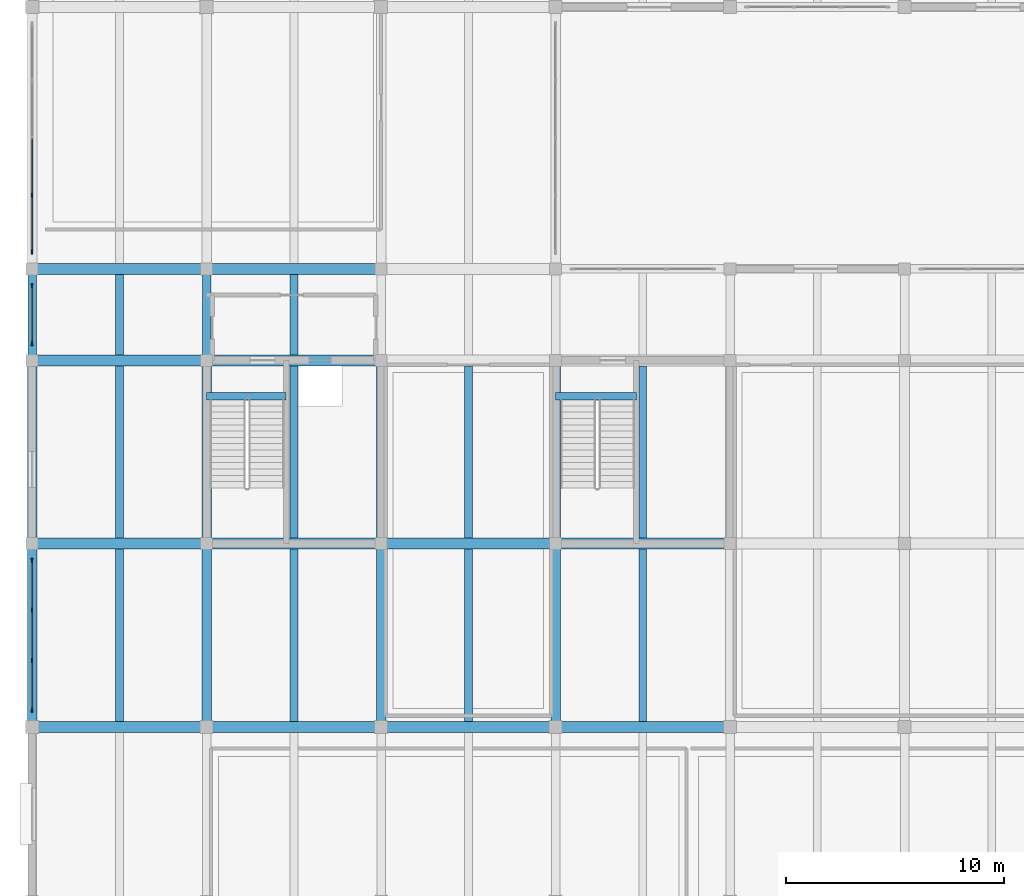
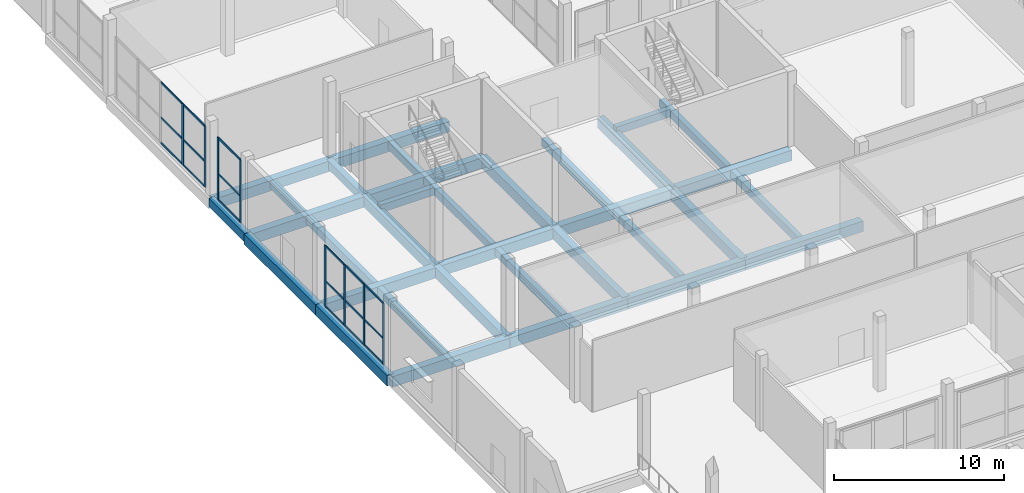
# One storey, part 9 of 41: 34 beams, 26 members, 3 elements without a shape of their own.
"""IFC4 building model written with IfcOpenShell, lengths in metres."""

from ifc_helpers import new_model, si_unit, direction, frame, origin, origin_2d, place, context, subcontext, project, spatial, rectangle, extrude, material, material_profile, profile_set, type_object, element, aggregate, save


model = new_model("IFC4")

# Units and contexts
model_context = context("Model", 3, precision=1e-05, world=origin(), true_north=direction((0.0, 1.0)))
body_context = subcontext(model_context, "Body", "Model", "MODEL_VIEW")
ifc_project = project(units=[si_unit("LENGTHUNIT", "METRE"), si_unit("AREAUNIT", "SQUARE_METRE"), si_unit("VOLUMEUNIT", "CUBIC_METRE"), si_unit("PLANEANGLEUNIT", "RADIAN"), si_unit("MASSUNIT", "GRAM", prefix="KILO")], contexts=[model_context])

# Site, building, storey
site_placement = place(None, origin())
site = spatial("IfcSite", under=ifc_project, at=site_placement, CompositionType="ELEMENT")
building_placement = place(site_placement, origin())
building = spatial("IfcBuilding", under=site, at=building_placement, Name="Vharandega Faculty of Natural Sciences", CompositionType="ELEMENT")
storey_placement = place(building_placement, origin())
storey = spatial("IfcBuildingStorey", under=building, at=storey_placement, Name="L00", CompositionType="ELEMENT", Elevation=0.0)

# Curtain wall, members
ifc_material_1 = material(Name="Aluminium and solar-control glass curtain wall", Category="aluminium")
curtain_wall_type_1 = type_object("IfcCurtainWallType", Name="Unitised Curtain Wall System CW-06", PredefinedType="NOTDEFINED", material=ifc_material_1)
curtain_wall_1_placement = place(storey_placement, origin())
curtain_wall_1 = element("IfcCurtainWall", 1, at=curtain_wall_1_placement, inside=storey, type_object=curtain_wall_type_1, Name="Curtain Wall CW-L00-033", PredefinedType="NOTDEFINED")
ifc_material_2 = material(Name="Thermally broken aluminium 6063-T6", Category="aluminium")
ifc_material_profile_1 = material_profile(ifc_material_2, rectangle(XDim=0.070068359375, YDim=0.199951171875, at=origin_2d()), Name="ALU 70x200")
ifc_profile_set_1 = profile_set([ifc_material_profile_1], Name="Thermally broken aluminium 6063-T6")
member_type_1 = type_object("IfcMemberType", Name="CW Mullion 70x200", PredefinedType="MULLION", material=ifc_profile_set_1)
member_1_placement = place(storey_placement, frame((0.0, 64.77490234375, 0.0), z_axis=(0.0, 0.0, 1.0), x_axis=(-1.0, 0.0, 0.0)))
member_1 = element("IfcMember", 2, at=member_1_placement, type_object=member_type_1, Name="CW-06 mullion 1", PredefinedType="MULLION", context=body_context, shape_type="SweptSolid", body=[
    extrude(rectangle(XDim=0.070068359375, YDim=0.199951171875, at=origin_2d()), origin(), (0.0, 0.0, 1.0), 4.389892578125),
])
member_2_placement = place(storey_placement, frame((0.0, 67.046630859375, 0.0), z_axis=(0.0, 0.0, 1.0), x_axis=(-1.0, 0.0, 0.0)))
member_2 = element("IfcMember", 3, at=member_2_placement, type_object=member_type_1, Name="CW-06 mullion 2", PredefinedType="MULLION", context=body_context, shape_type="SweptSolid", body=[
    extrude(rectangle(XDim=0.070068359375, YDim=0.199951171875, at=origin_2d()), origin(), (0.0, 0.0, 1.0), 4.389892578125),
])
member_3_placement = place(storey_placement, frame((0.0, 69.353271484375, 0.0), z_axis=(0.0, 0.0, 1.0), x_axis=(-1.0, 0.0, 0.0)))
member_3 = element("IfcMember", 4, at=member_3_placement, type_object=member_type_1, Name="CW-06 mullion 3", PredefinedType="MULLION", context=body_context, shape_type="SweptSolid", body=[
    extrude(rectangle(XDim=0.070068359375, YDim=0.199951171875, at=origin_2d()), origin(), (0.0, 0.0, 1.0), 4.389892578125),
])
member_4_placement = place(storey_placement, frame((0.0, 71.625, 0.0), z_axis=(0.0, 0.0, 1.0), x_axis=(-1.0, 0.0, 0.0)))
member_4 = element("IfcMember", 5, at=member_4_placement, type_object=member_type_1, Name="CW-06 mullion 4", PredefinedType="MULLION", context=body_context, shape_type="SweptSolid", body=[
    extrude(rectangle(XDim=0.070068359375, YDim=0.199951171875, at=origin_2d()), origin(), (0.0, 0.0, 1.0), 4.389892578125),
])

ifc_material_3 = material(Name="Aluminium and solar-control glass curtain wall", Category="aluminium")
curtain_wall_type_2 = type_object("IfcCurtainWallType", Name="Unitised Curtain Wall System CW-07", PredefinedType="NOTDEFINED", material=ifc_material_3)
curtain_wall_2_placement = place(storey_placement, origin())
curtain_wall_2 = element("IfcCurtainWall", 6, at=curtain_wall_2_placement, inside=storey, type_object=curtain_wall_type_2, Name="Curtain Wall CW-L00-034", PredefinedType="NOTDEFINED")
member_5_placement = place(storey_placement, frame((0.0, 81.574951171875, 0.0), z_axis=(0.0, 0.0, 1.0), x_axis=(-1.0, 0.0, 0.0)))
member_5 = element("IfcMember", 7, at=member_5_placement, type_object=member_type_1, Name="CW-07 mullion 1", PredefinedType="MULLION", context=body_context, shape_type="SweptSolid", body=[
    extrude(rectangle(XDim=0.070068359375, YDim=0.199951171875, at=origin_2d()), origin(), (0.0, 0.0, 1.0), 4.489990234375),
])
member_6_placement = place(storey_placement, frame((0.0, 84.22509765625, 0.0), z_axis=(0.0, 0.0, 1.0), x_axis=(-1.0, 0.0, 0.0)))
member_6 = element("IfcMember", 8, at=member_6_placement, type_object=member_type_1, Name="CW-07 mullion 2", PredefinedType="MULLION", context=body_context, shape_type="SweptSolid", body=[
    extrude(rectangle(XDim=0.070068359375, YDim=0.199951171875, at=origin_2d()), origin(), (0.0, 0.0, 1.0), 4.489990234375),
])

ifc_material_4 = material(Name="Aluminium and solar-control glass curtain wall", Category="aluminium")
curtain_wall_type_3 = type_object("IfcCurtainWallType", Name="Unitised Curtain Wall System CW-08", PredefinedType="NOTDEFINED", material=ifc_material_4)
curtain_wall_3_placement = place(storey_placement, origin())
curtain_wall_3 = element("IfcCurtainWall", 9, at=curtain_wall_3_placement, inside=storey, type_object=curtain_wall_type_3, Name="Curtain Wall CW-L00-035", PredefinedType="NOTDEFINED")
member_7_placement = place(storey_placement, frame((0.0, 85.77490234375, 0.0), z_axis=(0.0, 0.0, 1.0), x_axis=(-1.0, 0.0, 0.0)))
member_7 = element("IfcMember", 10, at=member_7_placement, type_object=member_type_1, Name="CW-08 mullion 1", PredefinedType="MULLION", context=body_context, shape_type="SweptSolid", body=[
    extrude(rectangle(XDim=0.070068359375, YDim=0.199951171875, at=origin_2d()), origin(), (0.0, 0.0, 1.0), 4.389892578125),
])
member_8_placement = place(storey_placement, frame((0.0, 88.3701171875, 0.0), z_axis=(0.0, 0.0, 1.0), x_axis=(-1.0, 0.0, 0.0)))
member_8 = element("IfcMember", 11, at=member_8_placement, type_object=member_type_1, Name="CW-08 mullion 2", PredefinedType="MULLION", context=body_context, shape_type="SweptSolid", body=[
    extrude(rectangle(XDim=0.070068359375, YDim=0.199951171875, at=origin_2d()), origin(), (0.0, 0.0, 1.0), 4.389892578125),
])

# Member
ifc_material_5 = material(Name="Thermally broken aluminium 6063-T6", Category="aluminium")
ifc_material_profile_2 = material_profile(ifc_material_5, rectangle(XDim=0.06494140625, YDim=0.135009765625, at=origin_2d()), Name="ALU 65x135")
ifc_profile_set_2 = profile_set([ifc_material_profile_2], Name="Thermally broken aluminium 6063-T6")
member_type_2 = type_object("IfcMemberType", Name="CW Transom 65x135", PredefinedType="USERDEFINED", material=ifc_profile_set_2)
member_9_placement = place(storey_placement, frame((0.0, 64.81005859375, 0.032470703125), z_axis=(0.0, 1.0, 0.0), x_axis=(-1.0, 0.0, 0.0)))
member_9 = element("IfcMember", 12, at=member_9_placement, type_object=member_type_2, Name="CW-06 transom 1.1", ObjectType="TRANSOM", PredefinedType="USERDEFINED", context=body_context, shape_type="SweptSolid", body=[
    extrude(rectangle(XDim=0.06494140625, YDim=0.135009765625, at=origin_2d()), origin(), (0.0, 0.0, 1.0), 2.20166015625),
])

member_10_placement = place(storey_placement, frame((0.0, 64.81005859375, 1.84375), z_axis=(0.0, 1.0, 0.0), x_axis=(-1.0, 0.0, 0.0)))
member_10 = element("IfcMember", 13, at=member_10_placement, type_object=member_type_2, Name="CW-06 transom 1.2", ObjectType="TRANSOM", PredefinedType="USERDEFINED", context=body_context, shape_type="SweptSolid", body=[
    extrude(rectangle(XDim=0.06494140625, YDim=0.135009765625, at=origin_2d()), origin(), (0.0, 0.0, 1.0), 2.20166015625),
])

member_11_placement = place(storey_placement, frame((0.0, 64.81005859375, 4.357421875), z_axis=(0.0, 1.0, 0.0), x_axis=(-1.0, 0.0, 0.0)))
member_11 = element("IfcMember", 14, at=member_11_placement, type_object=member_type_2, Name="CW-06 transom 1.3", ObjectType="TRANSOM", PredefinedType="USERDEFINED", context=body_context, shape_type="SweptSolid", body=[
    extrude(rectangle(XDim=0.06494140625, YDim=0.135009765625, at=origin_2d()), origin(), (0.0, 0.0, 1.0), 2.20166015625),
])

member_12_placement = place(storey_placement, frame((0.0, 67.081787109375, 0.032470703125), z_axis=(0.0, 1.0, 0.0), x_axis=(-1.0, 0.0, 0.0)))
member_12 = element("IfcMember", 15, at=member_12_placement, type_object=member_type_2, Name="CW-06 transom 2.1", ObjectType="TRANSOM", PredefinedType="USERDEFINED", context=body_context, shape_type="SweptSolid", body=[
    extrude(rectangle(XDim=0.06494140625, YDim=0.135009765625, at=origin_2d()), origin(), (0.0, 0.0, 1.0), 2.236572265625),
])

member_13_placement = place(storey_placement, frame((0.0, 67.081787109375, 1.84375), z_axis=(0.0, 1.0, 0.0), x_axis=(-1.0, 0.0, 0.0)))
member_13 = element("IfcMember", 16, at=member_13_placement, type_object=member_type_2, Name="CW-06 transom 2.2", ObjectType="TRANSOM", PredefinedType="USERDEFINED", context=body_context, shape_type="SweptSolid", body=[
    extrude(rectangle(XDim=0.06494140625, YDim=0.135009765625, at=origin_2d()), origin(), (0.0, 0.0, 1.0), 2.236572265625),
])

member_14_placement = place(storey_placement, frame((0.0, 67.081787109375, 4.357421875), z_axis=(0.0, 1.0, 0.0), x_axis=(-1.0, 0.0, 0.0)))
member_14 = element("IfcMember", 17, at=member_14_placement, type_object=member_type_2, Name="CW-06 transom 2.3", ObjectType="TRANSOM", PredefinedType="USERDEFINED", context=body_context, shape_type="SweptSolid", body=[
    extrude(rectangle(XDim=0.06494140625, YDim=0.135009765625, at=origin_2d()), origin(), (0.0, 0.0, 1.0), 2.236572265625),
])

member_15_placement = place(storey_placement, frame((0.0, 69.388427734375, 0.032470703125), z_axis=(0.0, 1.0, 0.0), x_axis=(-1.0, 0.0, 0.0)))
member_15 = element("IfcMember", 18, at=member_15_placement, type_object=member_type_2, Name="CW-06 transom 3.1", ObjectType="TRANSOM", PredefinedType="USERDEFINED", context=body_context, shape_type="SweptSolid", body=[
    extrude(rectangle(XDim=0.06494140625, YDim=0.135009765625, at=origin_2d()), origin(), (0.0, 0.0, 1.0), 2.20166015625),
])

member_16_placement = place(storey_placement, frame((0.0, 69.388427734375, 1.84375), z_axis=(0.0, 1.0, 0.0), x_axis=(-1.0, 0.0, 0.0)))
member_16 = element("IfcMember", 19, at=member_16_placement, type_object=member_type_2, Name="CW-06 transom 3.2", ObjectType="TRANSOM", PredefinedType="USERDEFINED", context=body_context, shape_type="SweptSolid", body=[
    extrude(rectangle(XDim=0.06494140625, YDim=0.135009765625, at=origin_2d()), origin(), (0.0, 0.0, 1.0), 2.20166015625),
])

member_17_placement = place(storey_placement, frame((0.0, 69.388427734375, 4.357421875), z_axis=(0.0, 1.0, 0.0), x_axis=(-1.0, 0.0, 0.0)))
member_17 = element("IfcMember", 20, at=member_17_placement, type_object=member_type_2, Name="CW-06 transom 3.3", ObjectType="TRANSOM", PredefinedType="USERDEFINED", context=body_context, shape_type="SweptSolid", body=[
    extrude(rectangle(XDim=0.06494140625, YDim=0.135009765625, at=origin_2d()), origin(), (0.0, 0.0, 1.0), 2.20166015625),
])

aggregate(curtain_wall_1, [member_1, member_2, member_3, member_4, member_9, member_10, member_11, member_12, member_13, member_14, member_15, member_16, member_17])

member_18_placement = place(storey_placement, frame((0.0, 81.610107421875, 0.032470703125), z_axis=(0.0, 1.0, 0.0), x_axis=(-1.0, 0.0, 0.0)))
member_18 = element("IfcMember", 21, at=member_18_placement, type_object=member_type_2, Name="CW-07 transom 1.1", ObjectType="TRANSOM", PredefinedType="USERDEFINED", context=body_context, shape_type="SweptSolid", body=[
    extrude(rectangle(XDim=0.06494140625, YDim=0.135009765625, at=origin_2d()), origin(), (0.0, 0.0, 1.0), 2.579833984375),
])

member_19_placement = place(storey_placement, frame((0.0, 81.610107421875, 1.8857421875), z_axis=(0.0, 1.0, 0.0), x_axis=(-1.0, 0.0, 0.0)))
member_19 = element("IfcMember", 22, at=member_19_placement, type_object=member_type_2, Name="CW-07 transom 1.2", ObjectType="TRANSOM", PredefinedType="USERDEFINED", context=body_context, shape_type="SweptSolid", body=[
    extrude(rectangle(XDim=0.06494140625, YDim=0.135009765625, at=origin_2d()), origin(), (0.0, 0.0, 1.0), 2.579833984375),
])

member_20_placement = place(storey_placement, frame((0.0, 81.610107421875, 4.45751953125), z_axis=(0.0, 1.0, 0.0), x_axis=(-1.0, 0.0, 0.0)))
member_20 = element("IfcMember", 23, at=member_20_placement, type_object=member_type_2, Name="CW-07 transom 1.3", ObjectType="TRANSOM", PredefinedType="USERDEFINED", context=body_context, shape_type="SweptSolid", body=[
    extrude(rectangle(XDim=0.06494140625, YDim=0.135009765625, at=origin_2d()), origin(), (0.0, 0.0, 1.0), 2.579833984375),
])

aggregate(curtain_wall_2, [member_5, member_6, member_18, member_19, member_20])

member_21_placement = place(storey_placement, frame((0.0, 85.81005859375, 0.032470703125), z_axis=(0.0, 1.0, 0.0), x_axis=(-1.0, 0.0, 0.0)))
member_21 = element("IfcMember", 24, at=member_21_placement, type_object=member_type_2, Name="CW-08 transom 1.1", ObjectType="TRANSOM", PredefinedType="USERDEFINED", context=body_context, shape_type="SweptSolid", body=[
    extrude(rectangle(XDim=0.06494140625, YDim=0.135009765625, at=origin_2d()), origin(), (0.0, 0.0, 1.0), 2.52490234375),
])

member_22_placement = place(storey_placement, frame((0.0, 85.81005859375, 1.84375), z_axis=(0.0, 1.0, 0.0), x_axis=(-1.0, 0.0, 0.0)))
member_22 = element("IfcMember", 25, at=member_22_placement, type_object=member_type_2, Name="CW-08 transom 1.2", ObjectType="TRANSOM", PredefinedType="USERDEFINED", context=body_context, shape_type="SweptSolid", body=[
    extrude(rectangle(XDim=0.06494140625, YDim=0.135009765625, at=origin_2d()), origin(), (0.0, 0.0, 1.0), 2.52490234375),
])

member_23_placement = place(storey_placement, frame((0.0, 85.81005859375, 4.357421875), z_axis=(0.0, 1.0, 0.0), x_axis=(-1.0, 0.0, 0.0)))
member_23 = element("IfcMember", 26, at=member_23_placement, type_object=member_type_2, Name="CW-08 transom 1.3", ObjectType="TRANSOM", PredefinedType="USERDEFINED", context=body_context, shape_type="SweptSolid", body=[
    extrude(rectangle(XDim=0.06494140625, YDim=0.135009765625, at=origin_2d()), origin(), (0.0, 0.0, 1.0), 2.52490234375),
])

member_24_placement = place(storey_placement, frame((0.0, 88.405029296875, 0.032470703125), z_axis=(0.0, 1.0, 0.0), x_axis=(-1.0, 0.0, 0.0)))
member_24 = element("IfcMember", 27, at=member_24_placement, type_object=member_type_2, Name="CW-08 transom 2.1", ObjectType="TRANSOM", PredefinedType="USERDEFINED", context=body_context, shape_type="SweptSolid", body=[
    extrude(rectangle(XDim=0.06494140625, YDim=0.135009765625, at=origin_2d()), origin(), (0.0, 0.0, 1.0), 2.56005859375),
])

member_25_placement = place(storey_placement, frame((0.0, 88.405029296875, 1.84375), z_axis=(0.0, 1.0, 0.0), x_axis=(-1.0, 0.0, 0.0)))
member_25 = element("IfcMember", 28, at=member_25_placement, type_object=member_type_2, Name="CW-08 transom 2.2", ObjectType="TRANSOM", PredefinedType="USERDEFINED", context=body_context, shape_type="SweptSolid", body=[
    extrude(rectangle(XDim=0.06494140625, YDim=0.135009765625, at=origin_2d()), origin(), (0.0, 0.0, 1.0), 2.56005859375),
])

member_26_placement = place(storey_placement, frame((0.0, 88.405029296875, 4.357421875), z_axis=(0.0, 1.0, 0.0), x_axis=(-1.0, 0.0, 0.0)))
member_26 = element("IfcMember", 29, at=member_26_placement, type_object=member_type_2, Name="CW-08 transom 2.3", ObjectType="TRANSOM", PredefinedType="USERDEFINED", context=body_context, shape_type="SweptSolid", body=[
    extrude(rectangle(XDim=0.06494140625, YDim=0.135009765625, at=origin_2d()), origin(), (0.0, 0.0, 1.0), 2.56005859375),
])

aggregate(curtain_wall_3, [member_7, member_8, member_21, member_22, member_23, member_24, member_25, member_26])

# Beams
ifc_material_6 = material(Name="Concrete C40/50", Category="concrete")
ifc_material_profile_3 = material_profile(ifc_material_6, rectangle(XDim=0.5, YDim=0.75, at=origin_2d()), Name="RC 500x750")
ifc_profile_set_3 = profile_set([ifc_material_profile_3], Name="Concrete C40/50")
beam_type_1 = type_object("IfcBeamType", Name="Podium Primary Beam 500x750", PredefinedType="BEAM", material=ifc_profile_set_3)
for number, where, z_axis, x_axis, name in (
    (30, (0.0, 64.0, -0.675048828125), (1.0, 0.0, 0.0), (0.0, 1.0, 0.0), "Beam L00 J/1-2"),
    (31, (8.0, 64.0, -0.675048828125), (1.0, 0.0, 0.0), (0.0, 1.0, 0.0), "Beam L00 J/2-3"),
    (32, (16.0, 64.0, -0.675048828125), (1.0, 0.0, 0.0), (0.0, 1.0, 0.0), "Beam L00 J/3-4"),
    (33, (24.0, 64.0, -0.675048828125), (1.0, 0.0, 0.0), (0.0, 1.0, 0.0), "Beam L00 J/4-5"),
    (34, (0.0, 72.39990234375, -0.655029296875), (1.0, 0.0, 0.0), (0.0, 1.0, 0.0), "Beam L00 K/1-2"),
    (35, (8.0, 72.39990234375, -0.655029296875), (1.0, 0.0, 0.0), (0.0, 1.0, 0.0), "Beam L00 K/2-3"),
    (36, (16.0, 72.39990234375, -0.655029296875), (1.0, 0.0, 0.0), (0.0, 1.0, 0.0), "Beam L00 K/3-4"),
    (37, (24.0, 72.39990234375, -0.675048828125), (1.0, 0.0, 0.0), (0.0, 1.0, 0.0), "Beam L00 K/4-5"),
    (38, (0.0, 80.800048828125, -0.655029296875), (1.0, 0.0, 0.0), (0.0, 1.0, 0.0), "Beam L00 L/1-2"),
    (39, (8.0, 80.800048828125, -0.655029296875), (1.0, 0.0, 0.0), (0.0, 1.0, 0.0), "Beam L00 L/2-3"),
    (40, (0.0, 85.0, -0.655029296875), (1.0, 0.0, 0.0), (0.0, 1.0, 0.0), "Beam L00 M/1-2"),
    (41, (8.0, 85.0, -0.655029296875), (1.0, 0.0, 0.0), (0.0, 1.0, 0.0), "Beam L00 M/2-3"),
):
    element("IfcBeam", number, at=place(storey_placement, frame(where, z_axis=z_axis, x_axis=x_axis)), inside=storey, type_object=beam_type_1, Name=name, PredefinedType="BEAM", context=body_context, shape_type="SweptSolid", body=[
        extrude(rectangle(XDim=0.5, YDim=0.75, at=origin_2d()), origin(), (0.0, 0.0, 1.0), 8.0),
    ])
ifc_material_7 = material(Name="Concrete C40/50", Category="concrete")
ifc_material_profile_4 = material_profile(ifc_material_7, rectangle(XDim=0.39990234375, YDim=0.60009765625, at=origin_2d()), Name="RC 400x600")
ifc_profile_set_4 = profile_set([ifc_material_profile_4], Name="Concrete C40/50")
beam_type_2 = type_object("IfcBeamType", Name="Podium Rib Beam 400x600", PredefinedType="BEAM", material=ifc_profile_set_4)
for number, where, z_axis, x_axis, name in (
    (42, (0.0, 80.800048828125, -0.580078125), (0.0, 1.0, 0.0), (-1.0, 0.0, 0.0), "Beam L00 1/L-M"),
    (43, (8.0, 80.800048828125, -0.580078125), (0.0, 1.0, 0.0), (-1.0, 0.0, 0.0), "Beam L00 2/L-M"),
):
    element("IfcBeam", number, at=place(storey_placement, frame(where, z_axis=z_axis, x_axis=x_axis)), inside=storey, type_object=beam_type_2, Name=name, PredefinedType="BEAM", context=body_context, shape_type="SweptSolid", body=[
        extrude(rectangle(XDim=0.39990234375, YDim=0.60009765625, at=origin_2d()), origin(), (0.0, 0.0, 1.0), 4.199951171875),
    ])
ifc_material_8 = material(Name="Concrete C40/50", Category="concrete")
ifc_material_profile_5 = material_profile(ifc_material_8, rectangle(XDim=0.35009765625, YDim=0.550048828125, at=origin_2d()), Name="RC 350x550")
ifc_profile_set_5 = profile_set([ifc_material_profile_5], Name="Concrete C40/50")
beam_type_3 = type_object("IfcBeamType", Name="Podium Secondary Beam 350x550", PredefinedType="JOIST", material=ifc_profile_set_5)
beam_1_placement = place(storey_placement, frame((4.0, 64.25, -0.554931640625), z_axis=(0.0, 1.0, 0.0), x_axis=(-1.0, 0.0, 0.0)))
element("IfcBeam", 44, at=beam_1_placement, inside=storey, type_object=beam_type_3, Name="Secondary Joist L00 1-2/J-K", PredefinedType="JOIST", context=body_context, shape_type="SweptSolid", body=[
    extrude(rectangle(XDim=0.35009765625, YDim=0.550048828125, at=origin_2d()), origin(), (0.0, 0.0, 1.0), 7.89990234375),
])
beam_2_placement = place(storey_placement, frame((4.0, 72.64990234375, -0.554931640625), z_axis=(0.0, 1.0, 0.0), x_axis=(-1.0, 0.0, 0.0)))
element("IfcBeam", 45, at=beam_2_placement, inside=storey, type_object=beam_type_3, Name="Secondary Joist L00 1-2/K-L", PredefinedType="JOIST", context=body_context, shape_type="SweptSolid", body=[
    extrude(rectangle(XDim=0.35009765625, YDim=0.550048828125, at=origin_2d()), origin(), (0.0, 0.0, 1.0), 7.900146484375),
])
beam_3_placement = place(storey_placement, frame((4.0, 81.050048828125, -0.554931640625), z_axis=(0.0, 1.0, 0.0), x_axis=(-1.0, 0.0, 0.0)))
element("IfcBeam", 46, at=beam_3_placement, inside=storey, type_object=beam_type_3, Name="Secondary Joist L00 1-2/L-M", PredefinedType="JOIST", context=body_context, shape_type="SweptSolid", body=[
    extrude(rectangle(XDim=0.35009765625, YDim=0.550048828125, at=origin_2d()), origin(), (0.0, 0.0, 1.0), 3.699951171875),
])
beam_4_placement = place(storey_placement, frame((12.0, 64.25, -0.554931640625), z_axis=(0.0, 1.0, 0.0), x_axis=(-1.0, 0.0, 0.0)))
element("IfcBeam", 47, at=beam_4_placement, inside=storey, type_object=beam_type_3, Name="Secondary Joist L00 2-3/J-K", PredefinedType="JOIST", context=body_context, shape_type="SweptSolid", body=[
    extrude(rectangle(XDim=0.35009765625, YDim=0.550048828125, at=origin_2d()), origin(), (0.0, 0.0, 1.0), 7.89990234375),
])
beam_5_placement = place(storey_placement, frame((12.0, 72.64990234375, -0.554931640625), z_axis=(0.0, 1.0, 0.0), x_axis=(-1.0, 0.0, 0.0)))
element("IfcBeam", 48, at=beam_5_placement, inside=storey, type_object=beam_type_3, Name="Secondary Joist L00 2-3/K-L", PredefinedType="JOIST", context=body_context, shape_type="SweptSolid", body=[
    extrude(rectangle(XDim=0.35009765625, YDim=0.550048828125, at=origin_2d()), origin(), (0.0, 0.0, 1.0), 7.900146484375),
])
beam_6_placement = place(storey_placement, frame((12.0, 81.050048828125, -0.554931640625), z_axis=(0.0, 1.0, 0.0), x_axis=(-1.0, 0.0, 0.0)))
element("IfcBeam", 49, at=beam_6_placement, inside=storey, type_object=beam_type_3, Name="Secondary Joist L00 2-3/L-M", PredefinedType="JOIST", context=body_context, shape_type="SweptSolid", body=[
    extrude(rectangle(XDim=0.35009765625, YDim=0.550048828125, at=origin_2d()), origin(), (0.0, 0.0, 1.0), 3.699951171875),
])
beam_7_placement = place(storey_placement, frame((20.0, 64.25, -0.554931640625), z_axis=(0.0, 1.0, 0.0), x_axis=(-1.0, 0.0, 0.0)))
element("IfcBeam", 50, at=beam_7_placement, inside=storey, type_object=beam_type_3, Name="Secondary Joist L00 3-4/J-K", PredefinedType="JOIST", context=body_context, shape_type="SweptSolid", body=[
    extrude(rectangle(XDim=0.35009765625, YDim=0.550048828125, at=origin_2d()), origin(), (0.0, 0.0, 1.0), 7.89990234375),
])
beam_8_placement = place(storey_placement, frame((20.0, 72.64990234375, -0.554931640625), z_axis=(0.0, 1.0, 0.0), x_axis=(-1.0, 0.0, 0.0)))
element("IfcBeam", 51, at=beam_8_placement, inside=storey, type_object=beam_type_3, Name="Secondary Joist L00 3-4/K-L", PredefinedType="JOIST", context=body_context, shape_type="SweptSolid", body=[
    extrude(rectangle(XDim=0.35009765625, YDim=0.550048828125, at=origin_2d()), origin(), (0.0, 0.0, 1.0), 7.900146484375),
])
beam_9_placement = place(storey_placement, frame((28.0, 64.25, -0.574951171875), z_axis=(0.0, 1.0, 0.0), x_axis=(-1.0, 0.0, 0.0)))
element("IfcBeam", 52, at=beam_9_placement, inside=storey, type_object=beam_type_3, Name="Secondary Joist L00 4-5/J-K", PredefinedType="JOIST", context=body_context, shape_type="SweptSolid", body=[
    extrude(rectangle(XDim=0.35009765625, YDim=0.550048828125, at=origin_2d()), origin(), (0.0, 0.0, 1.0), 7.89990234375),
])
beam_10_placement = place(storey_placement, frame((28.0, 72.64990234375, -0.574951171875), z_axis=(0.0, 1.0, 0.0), x_axis=(-1.0, 0.0, 0.0)))
element("IfcBeam", 53, at=beam_10_placement, inside=storey, type_object=beam_type_3, Name="Secondary Joist L00 4-5/K-L", PredefinedType="JOIST", context=body_context, shape_type="SweptSolid", body=[
    extrude(rectangle(XDim=0.35009765625, YDim=0.550048828125, at=origin_2d()), origin(), (0.0, 0.0, 1.0), 7.900146484375),
])
ifc_material_9 = material(Name="Concrete C40/50", Category="concrete")
ifc_material_profile_6 = material_profile(ifc_material_9, rectangle(XDim=0.449951171875, YDim=0.75, at=origin_2d()), Name="RC 450x750")
ifc_profile_set_6 = profile_set([ifc_material_profile_6], Name="Concrete C40/50")
beam_type_4 = type_object("IfcBeamType", Name="Podium Spine Beam 450x750", PredefinedType="BEAM", material=ifc_profile_set_6)
beam_11_placement = place(storey_placement, frame((0.0, 64.0, -0.655029296875), z_axis=(0.0, 1.0, 0.0), x_axis=(-1.0, 0.0, 0.0)))
element("IfcBeam", 54, at=beam_11_placement, inside=storey, type_object=beam_type_4, Name="Beam L00 1/J-K", PredefinedType="BEAM", context=body_context, shape_type="SweptSolid", body=[
    extrude(rectangle(XDim=0.449951171875, YDim=0.75, at=origin_2d()), origin(), (0.0, 0.0, 1.0), 8.39990234375),
])
beam_12_placement = place(storey_placement, frame((0.0, 72.39990234375, -0.655029296875), z_axis=(0.0, 1.0, 0.0), x_axis=(-1.0, 0.0, 0.0)))
element("IfcBeam", 55, at=beam_12_placement, inside=storey, type_object=beam_type_4, Name="Beam L00 1/K-L", PredefinedType="BEAM", context=body_context, shape_type="SweptSolid", body=[
    extrude(rectangle(XDim=0.449951171875, YDim=0.75, at=origin_2d()), origin(), (0.0, 0.0, 1.0), 8.400146484375),
])
beam_13_placement = place(storey_placement, frame((8.0, 64.0, -0.655029296875), z_axis=(0.0, 1.0, 0.0), x_axis=(-1.0, 0.0, 0.0)))
element("IfcBeam", 56, at=beam_13_placement, inside=storey, type_object=beam_type_4, Name="Beam L00 2/J-K", PredefinedType="BEAM", context=body_context, shape_type="SweptSolid", body=[
    extrude(rectangle(XDim=0.449951171875, YDim=0.75, at=origin_2d()), origin(), (0.0, 0.0, 1.0), 8.39990234375),
])
beam_14_placement = place(storey_placement, frame((8.0, 72.39990234375, -0.655029296875), z_axis=(0.0, 1.0, 0.0), x_axis=(-1.0, 0.0, 0.0)))
element("IfcBeam", 57, at=beam_14_placement, inside=storey, type_object=beam_type_4, Name="Beam L00 2/K-L", PredefinedType="BEAM", context=body_context, shape_type="SweptSolid", body=[
    extrude(rectangle(XDim=0.449951171875, YDim=0.75, at=origin_2d()), origin(), (0.0, 0.0, 1.0), 8.400146484375),
])
beam_15_placement = place(storey_placement, frame((16.0, 64.0, -0.655029296875), z_axis=(0.0, 1.0, 0.0), x_axis=(-1.0, 0.0, 0.0)))
element("IfcBeam", 58, at=beam_15_placement, inside=storey, type_object=beam_type_4, Name="Beam L00 3/J-K", PredefinedType="BEAM", context=body_context, shape_type="SweptSolid", body=[
    extrude(rectangle(XDim=0.449951171875, YDim=0.75, at=origin_2d()), origin(), (0.0, 0.0, 1.0), 8.39990234375),
])
beam_16_placement = place(storey_placement, frame((16.0, 72.39990234375, -0.655029296875), z_axis=(0.0, 1.0, 0.0), x_axis=(-1.0, 0.0, 0.0)))
element("IfcBeam", 59, at=beam_16_placement, inside=storey, type_object=beam_type_4, Name="Beam L00 3/K-L", PredefinedType="BEAM", context=body_context, shape_type="SweptSolid", body=[
    extrude(rectangle(XDim=0.449951171875, YDim=0.75, at=origin_2d()), origin(), (0.0, 0.0, 1.0), 8.400146484375),
])
beam_17_placement = place(storey_placement, frame((24.0, 64.0, -0.675048828125), z_axis=(0.0, 1.0, 0.0), x_axis=(-1.0, 0.0, 0.0)))
element("IfcBeam", 60, at=beam_17_placement, inside=storey, type_object=beam_type_4, Name="Beam L00 4/J-K", PredefinedType="BEAM", context=body_context, shape_type="SweptSolid", body=[
    extrude(rectangle(XDim=0.449951171875, YDim=0.75, at=origin_2d()), origin(), (0.0, 0.0, 1.0), 8.39990234375),
])
beam_18_placement = place(storey_placement, frame((24.0, 72.39990234375, -0.675048828125), z_axis=(0.0, 1.0, 0.0), x_axis=(-1.0, 0.0, 0.0)))
element("IfcBeam", 61, at=beam_18_placement, inside=storey, type_object=beam_type_4, Name="Beam L00 4/K-L", PredefinedType="BEAM", context=body_context, shape_type="SweptSolid", body=[
    extrude(rectangle(XDim=0.449951171875, YDim=0.75, at=origin_2d()), origin(), (0.0, 0.0, 1.0), 8.400146484375),
])
ifc_material_10 = material(Name="Concrete C40/50", Category="concrete")
ifc_material_profile_7 = material_profile(ifc_material_10, rectangle(XDim=0.35009765625, YDim=0.550048828125, at=origin_2d()), Name="RC 350x550")
ifc_profile_set_7 = profile_set([ifc_material_profile_7], Name="Concrete C40/50")
beam_type_5 = type_object("IfcBeamType", Name="Stair Header Trimmer Beam 350x550", PredefinedType="BEAM", material=ifc_profile_set_7)
beam_19_placement = place(storey_placement, frame((8.0, 79.14990234375, -0.27490234375), z_axis=(1.0, 0.0, 0.0), x_axis=(0.0, 1.0, 0.0)))
element("IfcBeam", 62, at=beam_19_placement, inside=storey, type_object=beam_type_5, Name="Stair Landing Trimmer Beam C4 L00", PredefinedType="BEAM", context=body_context, shape_type="SweptSolid", body=[
    extrude(rectangle(XDim=0.35009765625, YDim=0.550048828125, at=origin_2d()), origin(), (0.0, 0.0, 1.0), 3.639892578125),
])
beam_20_placement = place(storey_placement, frame((24.0, 79.14990234375, -0.27490234375), z_axis=(1.0, 0.0, 0.0), x_axis=(0.0, 1.0, 0.0)))
element("IfcBeam", 63, at=beam_20_placement, inside=storey, type_object=beam_type_5, Name="Stair Landing Trimmer Beam C6 L00", PredefinedType="BEAM", context=body_context, shape_type="SweptSolid", body=[
    extrude(rectangle(XDim=0.35009765625, YDim=0.550048828125, at=origin_2d()), origin(), (0.0, 0.0, 1.0), 3.699951171875),
])

save(model, "model.ifc")
